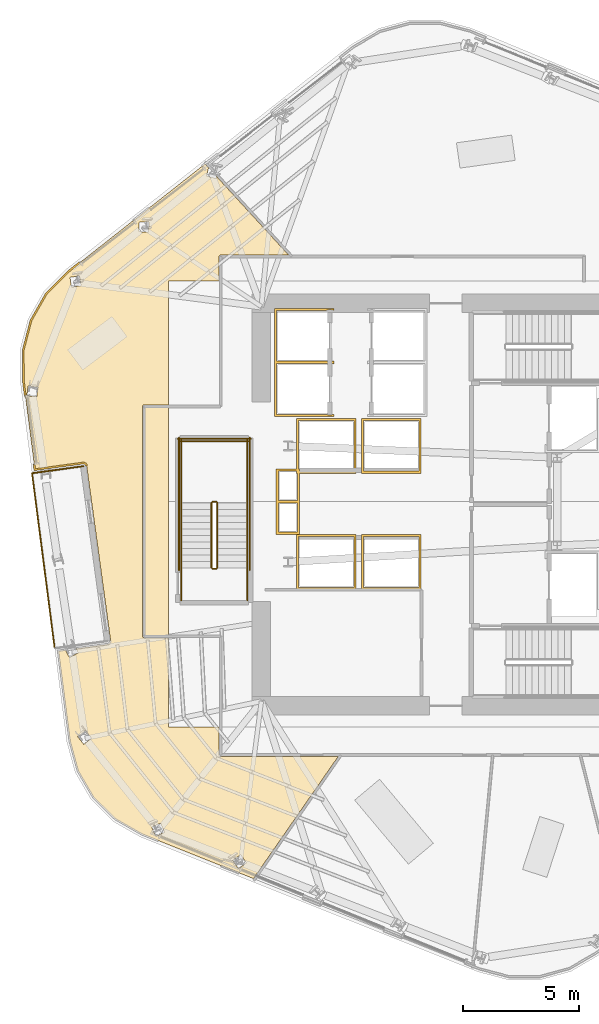
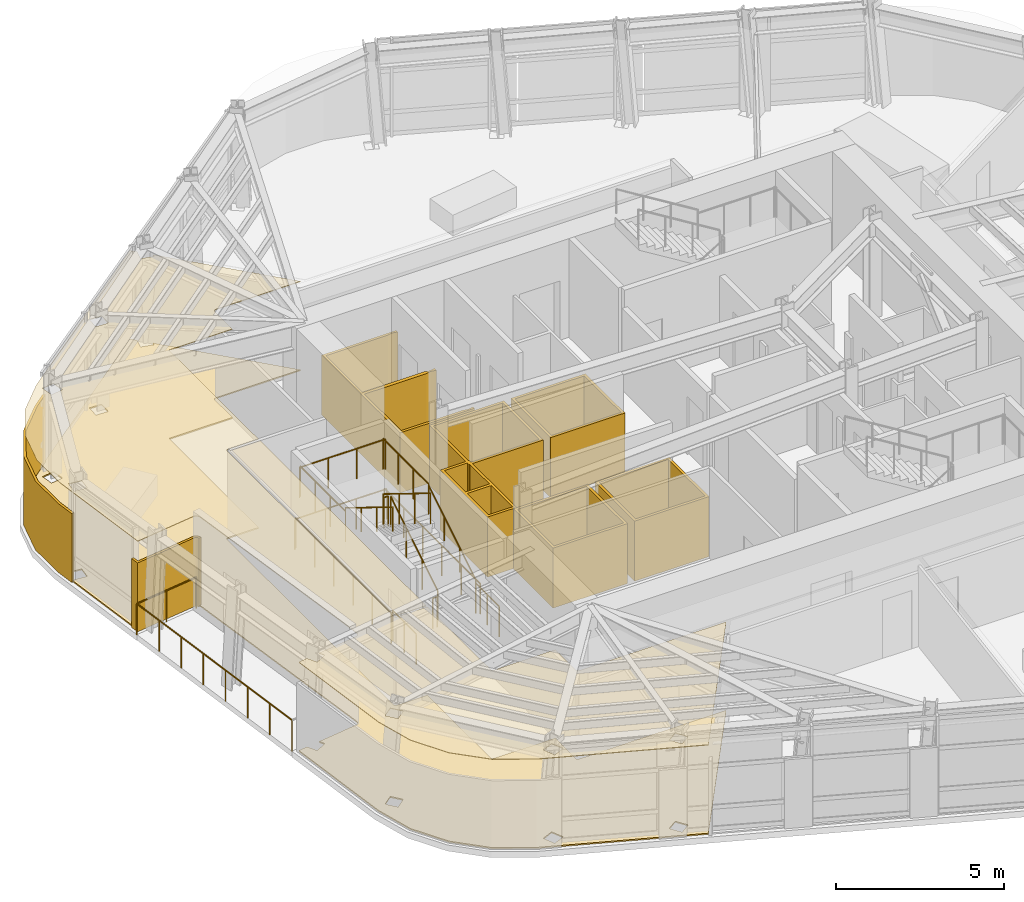
# One storey, part 12 of 15: 16 railings, 10 coverings.
"""IFC4 building model written with IfcOpenShell, lengths in metres."""

from ifc_helpers import new_model, si_unit, direction, frame, origin, origin_2d, place, context, subcontext, project, spatial, polyline, circle, outline, extrude, material, layer, layer_set, type_object, element, save


model = new_model("IFC4")

# Units and contexts
model_context = context("Model", 3, precision=1e-05, world=origin(), true_north=direction((0.0, 1.0)))
body_context = subcontext(model_context, "Body", "Model", "MODEL_VIEW")
ifc_project = project(units=[si_unit("LENGTHUNIT", "METRE"), si_unit("AREAUNIT", "SQUARE_METRE"), si_unit("VOLUMEUNIT", "CUBIC_METRE"), si_unit("PLANEANGLEUNIT", "RADIAN"), si_unit("MASSUNIT", "GRAM", prefix="KILO")], contexts=[model_context])

# Site, building, storey
site_placement = place(None, origin())
site = spatial("IfcSite", under=ifc_project, at=site_placement, CompositionType="ELEMENT")
building_placement = place(site_placement, origin())
building = spatial("IfcBuilding", under=site, at=building_placement, Name="Valkerne Bourse Tower", CompositionType="ELEMENT")
storey_placement = place(building_placement, frame((0.0, 0.0, 185.60009765625)))
storey = spatial("IfcBuildingStorey", under=building, at=storey_placement, Name="L47", CompositionType="ELEMENT", Elevation=185.60009765625)

# Coverings
ifc_material_1 = material(Name="Mineral Fiber Acoustic Ceiling Tile", Category="acoustic")
ifc_layer_1 = layer(ifc_material_1, 0.02490234375)
ifc_layer_set_1 = layer_set([ifc_layer_1], Name="Mineral Fiber Acoustic Ceiling Tile")
covering_type_1 = type_object("IfcCoveringType", Name="COV-CEIL-ACT", PredefinedType="CEILING", material=ifc_layer_set_1)
covering_1_placement = place(storey_placement, frame((0.0, 0.0, 3.22998046875)))
element("IfcCovering", 1, at=covering_1_placement, inside=storey, type_object=covering_type_1, Name="L47 Suspended Ceiling 12", PredefinedType="CEILING", context=body_context, shape_type="SweptSolid", body=[
    extrude(outline(polyline([(29.26953125, 36.893798828125), (35.174560546875, 41.5478515625), (35.323974609375, 41.385009765625), (35.23583984375, 41.02880859375), (35.6376953125, 40.928466796875), (35.6396484375, 40.929931640625), (35.6611328125, 41.017333984375), (38.76953125, 37.62890625), (35.849365234375, 37.62890625), (35.81396484375, 37.618896484375), (35.787353515625, 37.589111328125), (35.781005859375, 37.560302734375), (35.781005859375, 36.5), (33.60009765625, 36.5), (33.60009765625, 31.1689453125), (32.54931640625, 31.1689453125), (32.503173828125, 31.15087890625), (32.481201171875, 31.1044921875), (32.48095703125, 21.199462890625), (32.490478515625, 21.164794921875), (32.514892578125, 21.140380859375), (32.549560546875, 21.131103515625), (33.60009765625, 21.131103515625), (33.60009765625, 17.300048828125), (35.781005859375, 17.300048828125), (35.781005859375, 16.07958984375), (35.790283203125, 16.044921875), (35.814208984375, 16.02099609375), (35.849365234375, 16.010986328125), (40.9052734375, 16.010986328125), (37.260498046875, 10.7568359375), (32.46435546875, 12.6708984375), (31.310302734375, 13.329345703125), (30.37255859375, 14.25732421875), (29.706787109375, 15.396728515625), (29.356201171875, 16.67822265625), (28.854736328125, 20.56103515625), (29.16259765625, 20.603271484375), (29.33056640625, 20.284912109375), (29.706298828125, 20.482666015625), (29.705078125, 20.485107421875), (29.610595703125, 20.664794921875), (30.995849609375, 20.85498046875), (31.03515625, 20.87060546875), (31.0771484375, 20.907958984375), (31.1015625, 20.958251953125), (31.106201171875, 21.00048828125), (30.073486328125, 28.54443359375), (30.061767578125, 28.584716796875), (30.03857421875, 28.6201171875), (30.006103515625, 28.6474609375), (29.95361328125, 28.6669921875), (29.91162109375, 28.66748046875), (27.8447265625, 28.38427734375), (27.3525390625, 32.196533203125), (27.345703125, 33.526123046875), (27.680419921875, 34.802490234375), (28.334228515625, 35.94873046875), (29.26953125, 36.893798828125)]), holes=[polyline([(36.7138671875, 11.780517578125), (36.71142578125, 11.781982421875), (36.36962890625, 11.548095703125), (36.60791015625, 11.197998046875), (36.610107421875, 11.196533203125), (36.951904296875, 11.43017578125), (36.7138671875, 11.780517578125)]), polyline([(33.25732421875, 13.14306640625), (33.25537109375, 13.14501953125), (32.87548828125, 12.9794921875), (33.043701171875, 12.591064453125), (33.0458984375, 12.589111328125), (33.425537109375, 12.754638671875), (33.25732421875, 13.14306640625)]), polyline([(30.279052734375, 16.80859375), (30.277587890625, 16.811279296875), (30.01953125, 17.1337890625), (29.687744140625, 16.868896484375), (29.689208984375, 16.86669921875), (29.947021484375, 16.5439453125), (30.279052734375, 16.80859375)]), polyline([(27.923583984375, 31.526123046875), (27.970458984375, 31.9365234375), (27.548583984375, 31.985107421875), (27.5478515625, 31.982421875), (27.501220703125, 31.572021484375), (27.9228515625, 31.5234375), (27.923583984375, 31.526123046875)]), polyline([(29.829345703125, 36.3056640625), (29.76513671875, 36.724365234375), (29.355712890625, 36.662841796875), (29.3544921875, 36.660400390625), (29.418701171875, 36.24169921875), (29.827880859375, 36.302978515625), (29.829345703125, 36.3056640625)]), polyline([(32.755615234375, 39.03857421875), (32.342041015625, 39.05517578125), (32.34033203125, 39.052978515625), (32.32470703125, 38.62939453125), (32.73828125, 38.613037109375), (32.739990234375, 38.614990234375), (32.755615234375, 39.03857421875)])]), origin(), (0.0, 0.0, 1.0), 0.02490234375),
])
ifc_material_2 = material(Name="Bronze Anodised Aluminium AA 6063-T6", Category="aluminium")
ifc_layer_2 = layer(ifc_material_2, 0.030029296875)
ifc_layer_set_2 = layer_set([ifc_layer_2], Name="Bronze Anodised Aluminium AA 6063-T6")
covering_type_2 = type_object("IfcCoveringType", Name="COV-CEIL-METAL", PredefinedType="CEILING", material=ifc_layer_set_2)
covering_2_placement = place(storey_placement, frame((0.0, 0.0, 3.22998046875)))
element("IfcCovering", 2, at=covering_2_placement, inside=storey, type_object=covering_type_2, Name="L47 Suspended Ceiling 02", PredefinedType="CEILING", context=body_context, shape_type="SweptSolid", body=[
    extrude(outline(polyline([(32.553955078125, 21.2041015625), (32.553955078125, 31.095947265625), (33.60009765625, 31.095947265625), (33.60009765625, 21.2041015625), (32.553955078125, 21.2041015625)])), origin(), (0.0, 0.0, 1.0), 0.02490234375),
])
ifc_layer_3 = layer(ifc_material_2, 0.06005859375)
ifc_layer_set_3 = layer_set([ifc_layer_3], Name="Bronze Anodised Aluminium AA 6063-T6")
covering_type_3 = type_object("IfcCoveringType", Name="COV-CRN-ALUM", PredefinedType="CLADDING", material=ifc_layer_set_3)
covering_3_placement = place(storey_placement, origin())
element("IfcCovering", 3, at=covering_3_placement, inside=storey, type_object=covering_type_3, Name="L47 Wind-Shaped Corner Aluminium Cladding 01", PredefinedType="CLADDING", context=body_context, shape_type="SweptSolid", body=[
    extrude(outline(polyline([(27.639404296875, 34.8193359375), (28.298828125, 35.9755859375), (29.239990234375, 36.9267578125), (29.765380859375, 37.3408203125), (29.814453125, 37.277587890625), (29.29345703125, 36.866943359375), (28.36328125, 35.9267578125), (27.714111328125, 34.788818359375), (27.381591796875, 33.521484375), (27.388427734375, 32.198974609375), (27.473388671875, 31.541015625), (27.394287109375, 31.5302734375), (27.30859375, 32.193603515625), (27.301513671875, 33.53173828125), (27.639404296875, 34.8193359375)])), origin(), (0.0, 0.0, 1.0), 2.5),
])
covering_4_placement = place(storey_placement, origin())
element("IfcCovering", 4, at=covering_4_placement, inside=storey, type_object=covering_type_3, Name="L47 Wind-Shaped Corner Aluminium Cladding 22", PredefinedType="CLADDING", context=body_context, shape_type="SweptSolid", body=[
    extrude(outline(polyline([(30.028076171875, 28.5478515625), (30.025390625, 28.557373046875), (30.021728515625, 28.56640625), (30.01708984375, 28.5751953125), (30.01171875, 28.58349609375), (30.005615234375, 28.591064453125), (29.998779296875, 28.597900390625), (29.9912109375, 28.6044921875), (29.983154296875, 28.60986328125), (29.974609375, 28.614501953125), (29.965576171875, 28.618408203125), (29.956298828125, 28.621337890625), (29.946533203125, 28.623291015625), (29.936767578125, 28.62451171875), (29.927001953125, 28.62451171875), (29.917236328125, 28.623779296875), (27.806884765625, 28.334716796875), (27.76953125, 28.623291015625), (27.848876953125, 28.63427734375), (27.875732421875, 28.4248046875), (29.906494140625, 28.702880859375), (29.924072265625, 28.70458984375), (29.941650390625, 28.704345703125), (29.959228515625, 28.702392578125), (29.9765625, 28.69873046875), (29.993408203125, 28.693603515625), (30.009521484375, 28.6865234375), (30.02490234375, 28.677978515625), (30.03955078125, 28.668212890625), (30.05322265625, 28.65673828125), (30.0654296875, 28.64404296875), (30.07666015625, 28.63037109375), (30.086181640625, 28.615478515625), (30.094482421875, 28.599853515625), (30.100830078125, 28.58349609375), (30.10595703125, 28.56640625), (30.109130859375, 28.549072265625), (30.02978515625, 28.538330078125), (30.028076171875, 28.5478515625)])), origin(), (0.0, 0.0, 1.0), 2.5),
])
ifc_material_3 = material(Name="Galvanised Painted Steel", Category="steel")
ifc_layer_4 = layer(ifc_material_3, 0.044921875)
ifc_layer_set_4 = layer_set([ifc_layer_4], Name="Galvanised Painted Steel")
covering_type_4 = type_object("IfcCoveringType", Name="COV-FLR-RAF", PredefinedType="FLOORING", material=ifc_layer_set_4)
covering_5_placement = place(storey_placement, origin())
element("IfcCovering", 5, at=covering_5_placement, inside=storey, type_object=covering_type_4, Name="L47 Floor Finish 12", PredefinedType="FLOORING", context=body_context, shape_type="SweptSolid", body=[
    extrude(outline(polyline([(29.26953125, 36.893798828125), (35.174560546875, 41.5478515625), (35.323974609375, 41.385009765625), (35.23583984375, 41.02880859375), (35.6376953125, 40.928466796875), (35.6396484375, 40.929931640625), (35.6611328125, 41.017333984375), (38.76953125, 37.62890625), (35.849365234375, 37.62890625), (35.81396484375, 37.618896484375), (35.787353515625, 37.589111328125), (35.781005859375, 37.560302734375), (35.781005859375, 36.5), (33.60009765625, 36.5), (33.60009765625, 31.1689453125), (32.54931640625, 31.1689453125), (32.503173828125, 31.15087890625), (32.481201171875, 31.1044921875), (32.48095703125, 21.199462890625), (32.490478515625, 21.164794921875), (32.514892578125, 21.140380859375), (32.549560546875, 21.131103515625), (33.60009765625, 21.131103515625), (33.60009765625, 17.300048828125), (35.781005859375, 17.300048828125), (35.781005859375, 16.07958984375), (35.790283203125, 16.044921875), (35.814208984375, 16.02099609375), (35.849365234375, 16.010986328125), (40.9052734375, 16.010986328125), (37.260498046875, 10.7568359375), (32.46435546875, 12.6708984375), (31.310302734375, 13.329345703125), (30.37255859375, 14.25732421875), (29.706787109375, 15.396728515625), (29.356201171875, 16.67822265625), (28.854736328125, 20.56103515625), (29.16259765625, 20.603271484375), (29.33056640625, 20.284912109375), (29.706298828125, 20.482666015625), (29.705078125, 20.485107421875), (29.610595703125, 20.664794921875), (30.995849609375, 20.85498046875), (31.03515625, 20.87060546875), (31.0771484375, 20.907958984375), (31.1015625, 20.958251953125), (31.106201171875, 21.00048828125), (30.073486328125, 28.54443359375), (30.061767578125, 28.584716796875), (30.03857421875, 28.6201171875), (30.006103515625, 28.6474609375), (29.95361328125, 28.6669921875), (29.91162109375, 28.66748046875), (27.8447265625, 28.38427734375), (27.3525390625, 32.196533203125), (27.345703125, 33.526123046875), (27.680419921875, 34.802490234375), (28.334228515625, 35.94873046875), (29.26953125, 36.893798828125)]), holes=[polyline([(36.7138671875, 11.780517578125), (36.71142578125, 11.781982421875), (36.36962890625, 11.548095703125), (36.60791015625, 11.197998046875), (36.610107421875, 11.196533203125), (36.951904296875, 11.43017578125), (36.7138671875, 11.780517578125)]), polyline([(33.25732421875, 13.14306640625), (33.25537109375, 13.14501953125), (32.87548828125, 12.9794921875), (33.043701171875, 12.591064453125), (33.0458984375, 12.589111328125), (33.425537109375, 12.754638671875), (33.25732421875, 13.14306640625)]), polyline([(30.279052734375, 16.80859375), (30.277587890625, 16.811279296875), (30.01953125, 17.1337890625), (29.687744140625, 16.868896484375), (29.689208984375, 16.86669921875), (29.947021484375, 16.5439453125), (30.279052734375, 16.80859375)]), polyline([(27.923583984375, 31.526123046875), (27.970458984375, 31.9365234375), (27.548583984375, 31.985107421875), (27.5478515625, 31.982421875), (27.501220703125, 31.572021484375), (27.9228515625, 31.5234375), (27.923583984375, 31.526123046875)]), polyline([(29.829345703125, 36.3056640625), (29.76513671875, 36.724365234375), (29.355712890625, 36.662841796875), (29.3544921875, 36.660400390625), (29.418701171875, 36.24169921875), (29.827880859375, 36.302978515625), (29.829345703125, 36.3056640625)]), polyline([(32.755615234375, 39.03857421875), (32.342041015625, 39.05517578125), (32.34033203125, 39.052978515625), (32.32470703125, 38.62939453125), (32.73828125, 38.613037109375), (32.739990234375, 38.614990234375), (32.755615234375, 39.03857421875)])]), origin(), (0.0, 0.0, 1.0), 0.044921875),
])
ifc_material_4 = material(Name="Gypsum Shaftwall Liner Board", Category="gypsum")
ifc_layer_5 = layer(ifc_material_4, 0.080078125)
ifc_layer_set_5 = layer_set([ifc_layer_5], Name="Gypsum Shaftwall Liner Board")
covering_type_5 = type_object("IfcCoveringType", Name="COV-SHF-CLAD", PredefinedType="CLADDING", material=ifc_layer_set_5)
covering_6_placement = place(storey_placement, origin())
element("IfcCovering", 6, at=covering_6_placement, inside=storey, type_object=covering_type_5, Name="L47 Hoistway & Riser Shaftwall Liner 01", PredefinedType="CLADDING", context=body_context, shape_type="SweptSolid", body=[
    extrude(outline(polyline([(41.679931640625, 25.580078125), (41.679931640625, 23.219970703125), (39.1201171875, 23.219970703125), (39.1201171875, 25.580078125), (41.679931640625, 25.580078125)]), holes=[polyline([(41.590087890625, 25.489990234375), (39.2099609375, 25.489990234375), (39.2099609375, 23.31005859375), (41.590087890625, 23.31005859375), (41.590087890625, 25.489990234375)])]), origin(), (0.0, 0.0, 1.0), 2.179931640625),
])
covering_7_placement = place(storey_placement, origin())
element("IfcCovering", 7, at=covering_7_placement, inside=storey, type_object=covering_type_5, Name="L47 Hoistway & Riser Shaftwall Liner 02", PredefinedType="CLADDING", context=body_context, shape_type="SweptSolid", body=[
    extrude(outline(polyline([(44.47998046875, 23.219970703125), (41.919921875, 23.219970703125), (41.919921875, 25.580078125), (44.47998046875, 25.580078125), (44.47998046875, 23.219970703125)]), holes=[polyline([(42.010009765625, 25.489990234375), (42.010009765625, 23.31005859375), (44.389892578125, 23.31005859375), (44.389892578125, 25.489990234375), (42.010009765625, 25.489990234375)])]), origin(), (0.0, 0.0, 1.0), 2.179931640625),
])
covering_8_placement = place(storey_placement, origin())
element("IfcCovering", 8, at=covering_8_placement, inside=storey, type_object=covering_type_5, Name="L47 Hoistway & Riser Shaftwall Liner 03", PredefinedType="CLADDING", context=body_context, shape_type="SweptSolid", body=[
    extrude(outline(polyline([(38.239990234375, 28.409912109375), (39.1201171875, 28.409912109375), (39.1201171875, 30.580078125), (41.679931640625, 30.580078125), (41.679931640625, 28.219970703125), (39.239990234375, 28.219970703125), (39.239990234375, 27.0400390625), (39.239990234375, 26.9599609375), (39.239990234375, 25.590087890625), (38.239990234375, 25.590087890625), (38.239990234375, 26.9599609375), (38.239990234375, 27.0400390625), (38.239990234375, 28.409912109375)]), holes=[polyline([(38.330078125, 26.949951171875), (38.330078125, 25.679931640625), (39.14990234375, 25.679931640625), (39.14990234375, 26.949951171875), (38.330078125, 26.949951171875)]), polyline([(39.2099609375, 30.489990234375), (39.2099609375, 28.409912109375), (39.239990234375, 28.409912109375), (39.239990234375, 28.31005859375), (41.590087890625, 28.31005859375), (41.590087890625, 30.489990234375), (39.2099609375, 30.489990234375)]), polyline([(38.330078125, 27.050048828125), (39.14990234375, 27.050048828125), (39.14990234375, 28.219970703125), (39.1201171875, 28.219970703125), (39.1201171875, 28.320068359375), (38.330078125, 28.320068359375), (38.330078125, 27.050048828125)])]), origin(), (0.0, 0.0, 1.0), 2.179931640625),
])
covering_9_placement = place(storey_placement, origin())
element("IfcCovering", 9, at=covering_9_placement, inside=storey, type_object=covering_type_5, Name="L47 Hoistway & Riser Shaftwall Liner 04", PredefinedType="CLADDING", context=body_context, shape_type="SweptSolid", body=[
    extrude(outline(polyline([(38.169921875, 35.330078125), (40.72998046875, 35.330078125), (40.72998046875, 35.232177734375), (40.72216796875, 35.235595703125), (40.6806640625, 35.25048828125), (40.6376953125, 35.261474609375), (40.593994140625, 35.267822265625), (40.550048828125, 35.27001953125), (40.505859375, 35.267822265625), (40.462158203125, 35.261474609375), (40.41943359375, 35.25048828125), (40.3896484375, 35.239990234375), (38.260009765625, 35.239990234375), (38.260009765625, 33.06005859375), (40.3896484375, 33.06005859375), (40.41943359375, 33.04931640625), (40.462158203125, 33.03857421875), (40.505859375, 33.0322265625), (40.550048828125, 33.030029296875), (40.593994140625, 33.0322265625), (40.6376953125, 33.03857421875), (40.6806640625, 33.04931640625), (40.72216796875, 33.064208984375), (40.72998046875, 33.06787109375), (40.72998046875, 33.030029296875), (40.72998046875, 32.969970703125), (40.72998046875, 32.93212890625), (40.72216796875, 32.935791015625), (40.6806640625, 32.95068359375), (40.6376953125, 32.96142578125), (40.593994140625, 32.9677734375), (40.550048828125, 32.969970703125), (40.505859375, 32.9677734375), (40.462158203125, 32.96142578125), (40.41943359375, 32.95068359375), (40.3896484375, 32.93994140625), (38.260009765625, 32.93994140625), (38.260009765625, 30.760009765625), (40.3896484375, 30.760009765625), (40.41943359375, 30.74951171875), (40.462158203125, 30.738525390625), (40.505859375, 30.732177734375), (40.550048828125, 30.72998046875), (40.593994140625, 30.732177734375), (40.6376953125, 30.738525390625), (40.6806640625, 30.74951171875), (40.72216796875, 30.764404296875), (40.72998046875, 30.767822265625), (40.72998046875, 30.669921875), (38.169921875, 30.669921875), (38.169921875, 32.969970703125), (38.169921875, 33.030029296875), (38.169921875, 35.330078125)])), origin(), (0.0, 0.0, 1.0), 2.179931640625),
])
covering_10_placement = place(storey_placement, origin())
element("IfcCovering", 10, at=covering_10_placement, inside=storey, type_object=covering_type_5, Name="L47 Hoistway & Riser Shaftwall Liner 07", PredefinedType="CLADDING", context=body_context, shape_type="SweptSolid", body=[
    extrude(outline(polyline([(44.47998046875, 28.219970703125), (41.919921875, 28.219970703125), (41.919921875, 30.580078125), (44.47998046875, 30.580078125), (44.47998046875, 28.219970703125)]), holes=[polyline([(42.010009765625, 30.489990234375), (42.010009765625, 28.31005859375), (44.389892578125, 28.31005859375), (44.389892578125, 30.489990234375), (42.010009765625, 30.489990234375)])]), origin(), (0.0, 0.0, 1.0), 2.179931640625),
])

# Railings
ifc_material_5 = material(Name="Laminated Tempered Safety Glass", Category="glass")
railing_type_1 = type_object("IfcRailingType", Name="RLG-GUARD-1150", PredefinedType="BALUSTRADE", material=ifc_material_5)
railing_1_placement = place(storey_placement, frame((27.720458984375, 28.221923828125, 0.0)))
element("IfcRailing", 11, at=railing_1_placement, inside=storey, type_object=railing_type_1, Name="L47 V-Notch Terrace Glass Balustrade 1", PredefinedType="BALUSTRADE", context=body_context, shape_type="SweptSolid", body=[
    extrude(circle(Radius=0.02392578125, at=origin_2d()), frame((0.0, 0.0, 1.1259765625), z_axis=(0.990751426191, 0.13568939347, 0.0), x_axis=(-0.13568939347, 0.990751426191, 0.0)), (0.0, 0.0, 1.0), 2.231201171875),
    extrude(circle(Radius=0.02099609375, at=origin_2d()), origin(), (0.0, 0.0, 1.0), 1.101806640625),
    extrude(circle(Radius=0.02099609375, at=origin_2d()), frame((1.105224609375, 0.1513671875, 0.0)), (0.0, 0.0, 1.0), 1.101806640625),
    extrude(circle(Radius=0.02099609375, at=origin_2d()), frame((2.21044921875, 0.302734375, 0.0)), (0.0, 0.0, 1.0), 1.101806640625),
])
railing_2_placement = place(storey_placement, frame((28.693603515625, 20.684326171875, 0.0)))
element("IfcRailing", 12, at=railing_2_placement, inside=storey, type_object=railing_type_1, Name="L47 V-Notch Terrace Glass Balustrade 3", PredefinedType="BALUSTRADE", context=body_context, shape_type="SweptSolid", body=[
    extrude(circle(Radius=0.02392578125, at=origin_2d()), frame((0.0, 0.0, 1.1259765625), z_axis=(-0.128042685438, 0.991768657856, 0.0), x_axis=(-0.991768657856, -0.128042685438, 0.0)), (0.0, 0.0, 1.0), 7.60009765625),
    extrude(circle(Radius=0.02099609375, at=origin_2d()), origin(), (0.0, 0.0, 1.0), 1.101806640625),
    extrude(circle(Radius=0.02099609375, at=origin_2d()), frame((-0.138916015625, 1.076904296875, 0.0)), (0.0, 0.0, 1.0), 1.101806640625),
    extrude(circle(Radius=0.02099609375, at=origin_2d()), frame((-0.278076171875, 2.153564453125, 0.0)), (0.0, 0.0, 1.0), 1.101806640625),
    extrude(circle(Radius=0.02099609375, at=origin_2d()), frame((-0.4169921875, 3.23046875, 0.0)), (0.0, 0.0, 1.0), 1.101806640625),
    extrude(circle(Radius=0.02099609375, at=origin_2d()), frame((-0.55615234375, 4.30712890625, 0.0)), (0.0, 0.0, 1.0), 1.101806640625),
    extrude(circle(Radius=0.02099609375, at=origin_2d()), frame((-0.695068359375, 5.384033203125, 0.0)), (0.0, 0.0, 1.0), 1.101806640625),
    extrude(circle(Radius=0.02099609375, at=origin_2d()), frame((-0.834228515625, 6.460693359375, 0.0)), (0.0, 0.0, 1.0), 1.101806640625),
    extrude(circle(Radius=0.02099609375, at=origin_2d()), frame((-0.97314453125, 7.53759765625, 0.0)), (0.0, 0.0, 1.0), 1.101806640625),
])
railing_type_2 = type_object("IfcRailingType", Name="RLG-ST-GUARD-1120", PredefinedType="GUARDRAIL", material=ifc_material_3)
railing_3_placement = place(storey_placement, frame((35.699951171875, 24.14990234375, 0.172607421875)))
element("IfcRailing", 13, at=railing_3_placement, inside=storey, type_object=railing_type_2, Name="L47 ST-3 stair guard 1", PredefinedType="GUARDRAIL", context=body_context, shape_type="SweptSolid", body=[
    extrude(circle(Radius=0.02392578125, at=origin_2d()), frame((0.0, 0.0, 1.09619140625), z_axis=(0.0, 0.851089632645, 0.525020415988), x_axis=(-1.0, 0.0, 0.0)), (0.0, 0.0, 1.0), 3.2900390625),
    extrude(circle(Radius=0.02099609375, at=origin_2d()), origin(), (0.0, 0.0, 1.0), 1.072021484375),
    extrude(circle(Radius=0.02099609375, at=origin_2d()), frame((0.0, 0.933349609375, 0.57568359375)), (0.0, 0.0, 1.0), 1.072021484375),
    extrude(circle(Radius=0.02099609375, at=origin_2d()), frame((0.0, 1.86669921875, 1.151611328125)), (0.0, 0.0, 1.0), 1.072021484375),
    extrude(circle(Radius=0.02099609375, at=origin_2d()), frame((0.0, 2.800048828125, 1.727294921875)), (0.0, 0.0, 1.0), 1.072021484375),
])
railing_4_placement = place(storey_placement, frame((35.64990234375, 27.0, 1.89990234375)))
element("IfcRailing", 14, at=railing_4_placement, inside=storey, type_object=railing_type_2, Name="L47 ST-3 stair guard 2", PredefinedType="GUARDRAIL", context=body_context, shape_type="SweptSolid", body=[
    extrude(circle(Radius=0.02392578125, at=origin_2d()), frame((0.0, 0.0, 1.09619140625), z_axis=(-1.0, 0.0, 0.0), x_axis=(0.0, -1.0, 0.0)), (0.0, 0.0, 1.0), 0.14990234375),
    extrude(circle(Radius=0.02099609375, at=origin_2d()), origin(), (0.0, 0.0, 1.0), 1.072021484375),
    extrude(circle(Radius=0.02099609375, at=origin_2d()), frame((-0.14990234375, 0.0, 0.0)), (0.0, 0.0, 1.0), 1.072021484375),
])
for number, where, name in (
    (15, (37.0, 26.949951171875, 1.89990234375), "L47 ST-3 stair guard 3"),
    (16, (34.14990234375, 26.949951171875, 1.89990234375), "L47 ST-3 stair guard 4"),
):
    element("IfcRailing", number, at=place(storey_placement, frame(where)), inside=storey, type_object=railing_type_2, Name=name, PredefinedType="GUARDRAIL", context=body_context, shape_type="SweptSolid", body=[
        extrude(circle(Radius=0.02392578125, at=origin_2d()), frame((0.0, 0.0, 1.09619140625), z_axis=(0.0, 1.0, 0.0), x_axis=(-1.0, 0.0, 0.0)), (0.0, 0.0, 1.0), 2.699951171875),
        extrude(circle(Radius=0.02099609375, at=origin_2d()), origin(), (0.0, 0.0, 1.0), 1.072021484375),
        extrude(circle(Radius=0.02099609375, at=origin_2d()), frame((0.0, 0.89990234375, 0.0)), (0.0, 0.0, 1.0), 1.072021484375),
        extrude(circle(Radius=0.02099609375, at=origin_2d()), frame((0.0, 1.800048828125, 0.0)), (0.0, 0.0, 1.0), 1.072021484375),
        extrude(circle(Radius=0.02099609375, at=origin_2d()), frame((0.0, 2.699951171875, 0.0)), (0.0, 0.0, 1.0), 1.072021484375),
    ])
railing_5_placement = place(storey_placement, frame((37.050048828125, 29.60009765625, 1.89990234375)))
element("IfcRailing", 17, at=railing_5_placement, inside=storey, type_object=railing_type_2, Name="L47 ST-3 stair guard 5", PredefinedType="GUARDRAIL", context=body_context, shape_type="SweptSolid", body=[
    extrude(circle(Radius=0.02392578125, at=origin_2d()), frame((0.0, 0.0, 1.09619140625), z_axis=(-1.0, 0.0, 0.0), x_axis=(0.0, -1.0, 0.0)), (0.0, 0.0, 1.0), 2.949951171875),
    extrude(circle(Radius=0.02099609375, at=origin_2d()), origin(), (0.0, 0.0, 1.0), 1.072021484375),
    extrude(circle(Radius=0.02099609375, at=origin_2d()), frame((-0.9833984375, 0.0, 0.0)), (0.0, 0.0, 1.0), 1.072021484375),
    extrude(circle(Radius=0.02099609375, at=origin_2d()), frame((-1.966552734375, 0.0, 0.0)), (0.0, 0.0, 1.0), 1.072021484375),
    extrude(circle(Radius=0.02099609375, at=origin_2d()), frame((-2.949951171875, 0.0, 0.0)), (0.0, 0.0, 1.0), 1.072021484375),
])
railing_6_placement = place(storey_placement, frame((35.449951171875, 26.949951171875, 2.072509765625)))
element("IfcRailing", 18, at=railing_6_placement, inside=storey, type_object=railing_type_2, Name="L47 ST-3 stair guard 6", PredefinedType="GUARDRAIL", context=body_context, shape_type="SweptSolid", body=[
    extrude(circle(Radius=0.02392578125, at=origin_2d()), frame((0.0, 0.0, 1.09619140625), z_axis=(0.0, -0.851089632645, 0.525020415988), x_axis=(1.0, 0.0, 0.0)), (0.0, 0.0, 1.0), 3.2900390625),
    extrude(circle(Radius=0.02099609375, at=origin_2d()), origin(), (0.0, 0.0, 1.0), 1.072021484375),
    extrude(circle(Radius=0.02099609375, at=origin_2d()), frame((0.0, -0.933349609375, 0.57568359375)), (0.0, 0.0, 1.0), 1.072021484375),
    extrude(circle(Radius=0.02099609375, at=origin_2d()), frame((0.0, -1.86669921875, 1.151611328125)), (0.0, 0.0, 1.0), 1.072021484375),
    extrude(circle(Radius=0.02099609375, at=origin_2d()), frame((0.0, -2.800048828125, 1.727294921875)), (0.0, 0.0, 1.0), 1.072021484375),
])
railing_7_placement = place(storey_placement, frame((35.64990234375, 24.10009765625, 0.0)))
element("IfcRailing", 19, at=railing_7_placement, inside=storey, type_object=railing_type_2, Name="L47 ST-3 stair guard 7", PredefinedType="GUARDRAIL", context=body_context, shape_type="SweptSolid", body=[
    extrude(circle(Radius=0.02392578125, at=origin_2d()), frame((0.0, 0.0, 1.09619140625), z_axis=(-1.0, 0.0, 0.0), x_axis=(0.0, -1.0, 0.0)), (0.0, 0.0, 1.0), 0.14990234375),
    extrude(circle(Radius=0.02099609375, at=origin_2d()), origin(), (0.0, 0.0, 1.0), 1.072021484375),
    extrude(circle(Radius=0.02099609375, at=origin_2d()), frame((-0.14990234375, 0.0, 0.0)), (0.0, 0.0, 1.0), 1.072021484375),
])
for number, where, name in (
    (20, (37.0, 22.75, 0.0), "L47 ST-3 stair guard 8"),
    (21, (34.14990234375, 22.75, 0.0), "L47 ST-3 stair guard 9"),
):
    element("IfcRailing", number, at=place(storey_placement, frame(where)), inside=storey, type_object=railing_type_2, Name=name, PredefinedType="GUARDRAIL", context=body_context, shape_type="SweptSolid", body=[
        extrude(circle(Radius=0.02392578125, at=origin_2d()), frame((0.0, 0.0, 1.09619140625), z_axis=(0.0, 1.0, 0.0), x_axis=(-1.0, 0.0, 0.0)), (0.0, 0.0, 1.0), 1.39990234375),
        extrude(circle(Radius=0.02099609375, at=origin_2d()), origin(), (0.0, 0.0, 1.0), 1.072021484375),
        extrude(circle(Radius=0.02099609375, at=origin_2d()), frame((0.0, 0.699951171875, 0.0)), (0.0, 0.0, 1.0), 1.072021484375),
        extrude(circle(Radius=0.02099609375, at=origin_2d()), frame((0.0, 1.39990234375, 0.0)), (0.0, 0.0, 1.0), 1.072021484375),
    ])
for number, where, name in (
    (22, (37.10009765625, 24.050048828125, 0.0), "L47 ST-3 stair guard 10"),
    (23, (34.050048828125, 24.050048828125, 0.0), "L47 ST-3 stair guard 11"),
):
    element("IfcRailing", number, at=place(storey_placement, frame(where)), inside=storey, type_object=railing_type_2, Name=name, PredefinedType="GUARDRAIL", context=body_context, shape_type="SweptSolid", body=[
        extrude(circle(Radius=0.02392578125, at=origin_2d()), frame((0.0, 0.0, 1.09619140625), z_axis=(0.0, 1.0, 0.0), x_axis=(-1.0, 0.0, 0.0)), (0.0, 0.0, 1.0), 5.699951171875),
        extrude(circle(Radius=0.02099609375, at=origin_2d()), origin(), (0.0, 0.0, 1.0), 1.072021484375),
        extrude(circle(Radius=0.02099609375, at=origin_2d()), frame((0.0, 1.139892578125, 0.0)), (0.0, 0.0, 1.0), 1.072021484375),
        extrude(circle(Radius=0.02099609375, at=origin_2d()), frame((0.0, 2.280029296875, 0.0)), (0.0, 0.0, 1.0), 1.072021484375),
        extrude(circle(Radius=0.02099609375, at=origin_2d()), frame((0.0, 3.419921875, 0.0)), (0.0, 0.0, 1.0), 1.072021484375),
        extrude(circle(Radius=0.02099609375, at=origin_2d()), frame((0.0, 4.56005859375, 0.0)), (0.0, 0.0, 1.0), 1.072021484375),
        extrude(circle(Radius=0.02099609375, at=origin_2d()), frame((0.0, 5.699951171875, 0.0)), (0.0, 0.0, 1.0), 1.072021484375),
    ])
railing_8_placement = place(storey_placement, frame((37.14990234375, 29.699951171875, 0.0)))
element("IfcRailing", 24, at=railing_8_placement, inside=storey, type_object=railing_type_2, Name="L47 ST-3 stair guard 12", PredefinedType="GUARDRAIL", context=body_context, shape_type="SweptSolid", body=[
    extrude(circle(Radius=0.02392578125, at=origin_2d()), frame((0.0, 0.0, 1.09619140625), z_axis=(-1.0, 0.0, 0.0), x_axis=(0.0, -1.0, 0.0)), (0.0, 0.0, 1.0), 3.14990234375),
    extrude(circle(Radius=0.02099609375, at=origin_2d()), origin(), (0.0, 0.0, 1.0), 1.072021484375),
    extrude(circle(Radius=0.02099609375, at=origin_2d()), frame((-1.050048828125, 0.0, 0.0)), (0.0, 0.0, 1.0), 1.072021484375),
    extrude(circle(Radius=0.02099609375, at=origin_2d()), frame((-2.099853515625, 0.0, 0.0)), (0.0, 0.0, 1.0), 1.072021484375),
    extrude(circle(Radius=0.02099609375, at=origin_2d()), frame((-3.14990234375, 0.0, 0.0)), (0.0, 0.0, 1.0), 1.072021484375),
])
ifc_material_6 = material(Name="Stainless Steel AISI 316", Category="steel")
railing_type_3 = type_object("IfcRailingType", Name="RLG-ST-HANDRAIL-900", PredefinedType="HANDRAIL", material=ifc_material_6)
railing_9_placement = place(storey_placement, frame((37.0, 24.14990234375, 0.345458984375)))
element("IfcRailing", 25, at=railing_9_placement, inside=storey, type_object=railing_type_3, Name="L47 ST-3 stair handrail 1", PredefinedType="HANDRAIL", context=body_context, shape_type="SweptSolid", body=[
    extrude(circle(Radius=0.02392578125, at=origin_2d()), frame((0.0, 0.0, 0.8759765625), z_axis=(0.0, 0.851122791225, 0.524966660138), x_axis=(-1.0, 0.0, 0.0)), (0.0, 0.0, 1.0), 3.289794921875),
    extrude(circle(Radius=0.02099609375, at=origin_2d()), origin(), (0.0, 0.0, 1.0), 0.851806640625),
    extrude(circle(Radius=0.02099609375, at=origin_2d()), frame((0.0, 0.933349609375, 0.57568359375)), (0.0, 0.0, 1.0), 0.851806640625),
    extrude(circle(Radius=0.02099609375, at=origin_2d()), frame((0.0, 1.86669921875, 1.1513671875)), (0.0, 0.0, 1.0), 0.851806640625),
    extrude(circle(Radius=0.02099609375, at=origin_2d()), frame((0.0, 2.800048828125, 1.72705078125)), (0.0, 0.0, 1.0), 0.851806640625),
])
railing_10_placement = place(storey_placement, frame((34.14990234375, 26.949951171875, 2.245361328125)))
element("IfcRailing", 26, at=railing_10_placement, inside=storey, type_object=railing_type_3, Name="L47 ST-3 stair handrail 2", PredefinedType="HANDRAIL", context=body_context, shape_type="SweptSolid", body=[
    extrude(circle(Radius=0.02392578125, at=origin_2d()), frame((0.0, 0.0, 0.8759765625), z_axis=(0.0, -0.851089632645, 0.525020415988), x_axis=(1.0, 0.0, 0.0)), (0.0, 0.0, 1.0), 3.2900390625),
    extrude(circle(Radius=0.02099609375, at=origin_2d()), origin(), (0.0, 0.0, 1.0), 0.851806640625),
    extrude(circle(Radius=0.02099609375, at=origin_2d()), frame((0.0, -0.933349609375, 0.57568359375)), (0.0, 0.0, 1.0), 0.851806640625),
    extrude(circle(Radius=0.02099609375, at=origin_2d()), frame((0.0, -1.86669921875, 1.151611328125)), (0.0, 0.0, 1.0), 0.851806640625),
    extrude(circle(Radius=0.02099609375, at=origin_2d()), frame((0.0, -2.800048828125, 1.727294921875)), (0.0, 0.0, 1.0), 0.851806640625),
])

save(model, "model.ifc")
